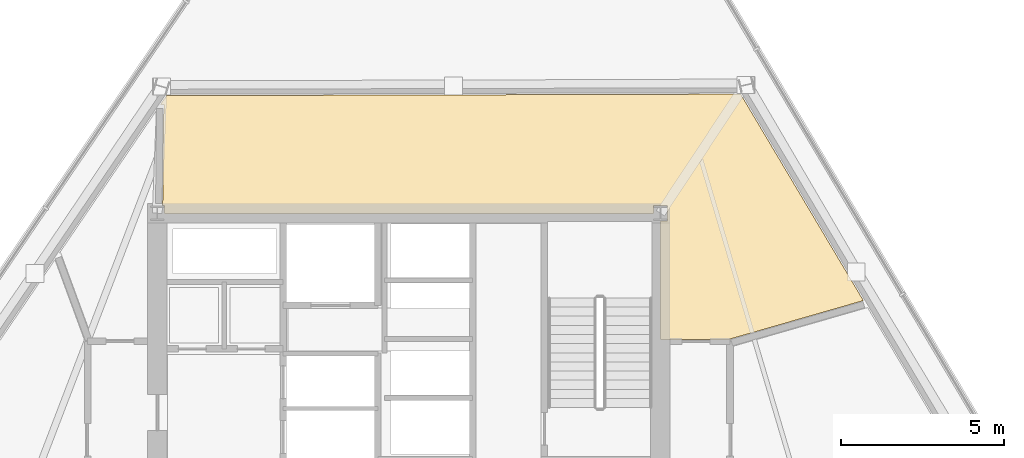
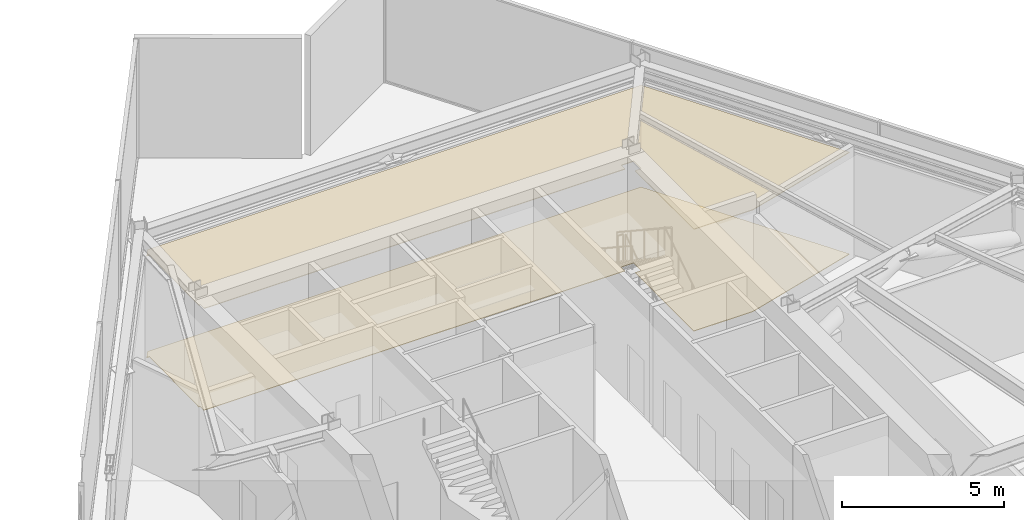
# One storey, part 15 of 16: 2 coverings.
"""IFC4 building model written with IfcOpenShell, lengths in metres."""

from ifc_helpers import new_model, si_unit, direction, frame, origin, place, context, subcontext, project, spatial, polyline, outline, extrude, material, layer, layer_set, type_object, element, save


model = new_model("IFC4")

# Units and contexts
model_context = context("Model", 3, precision=1e-05, world=origin(), true_north=direction((0.0, 1.0)))
body_context = subcontext(model_context, "Body", "Model", "MODEL_VIEW")
ifc_project = project(units=[si_unit("LENGTHUNIT", "METRE"), si_unit("AREAUNIT", "SQUARE_METRE"), si_unit("VOLUMEUNIT", "CUBIC_METRE"), si_unit("PLANEANGLEUNIT", "RADIAN"), si_unit("MASSUNIT", "GRAM", prefix="KILO")], contexts=[model_context])

# Site, building, storey
site_placement = place(None, origin())
site = spatial("IfcSite", under=ifc_project, at=site_placement, CompositionType="ELEMENT")
building_placement = place(site_placement, origin())
building = spatial("IfcBuilding", under=site, at=building_placement, Name="Savorim Split Tower", CompositionType="ELEMENT")
storey_placement = place(building_placement, frame((0.0, 0.0, 73.199951171875)))
storey = spatial("IfcBuildingStorey", under=building, at=storey_placement, Name="L19", CompositionType="ELEMENT", Elevation=73.199951171875)

# Coverings
ifc_material_1 = material(Name="Mineral Fibre Acoustic Ceiling")
ifc_layer_1 = layer(ifc_material_1, 0.02490234375)
ifc_layer_set_1 = layer_set([ifc_layer_1], Name="COV-CEIL-25")
covering_type_1 = type_object("IfcCoveringType", Name="COV-CEIL-25", PredefinedType="CEILING", material=ifc_layer_set_1)
covering_1_placement = place(storey_placement, frame((0.0, 0.0, 3.820068359375)))
element("IfcCovering", 1, at=covering_1_placement, inside=storey, type_object=covering_type_1, Name="L19 Booster Pump Plant Room 1 Acoustic Ceiling", PredefinedType="CEILING", context=body_context, shape_type="SweptSolid", body=[
    extrude(outline(polyline([(13.913818359375, 7.526611328125), (10.156005859375, 13.846435546875), (-7.416259765625, 13.79833984375), (-7.597900390625, 13.531494140625), (-7.497314453125, 13.5302734375), (-7.532958984375, 10.43310546875), (-7.48193359375, 10.43310546875), (-7.48193359375, 10.199951171875), (7.48193359375, 10.199951171875), (7.48193359375, 10.43310546875), (7.91796875, 10.43310546875), (7.91796875, 9.967041015625), (7.699951171875, 9.967041015625), (7.699951171875, 6.340087890625), (9.75, 6.340087890625), (9.763671875, 6.33935546875), (9.77734375, 6.33740234375), (9.781982421875, 6.336181640625), (13.894287109375, 7.52099609375), (13.913818359375, 7.526611328125)])), origin(), (0.0, 0.0, 1.0), 0.02490234375),
])
ifc_material_2 = material(Name="Porcelain Stoneware Flooring", Category="masonry")
ifc_layer_2 = layer(ifc_material_2, 0.02001953125)
ifc_layer_set_2 = layer_set([ifc_layer_2], Name="COV-FLOR-20")
covering_type_2 = type_object("IfcCoveringType", Name="COV-FLOR-20", PredefinedType="FLOORING", material=ifc_layer_set_2)
covering_2_placement = place(storey_placement, origin())
element("IfcCovering", 2, at=covering_2_placement, inside=storey, type_object=covering_type_2, Name="L19 Booster Pump Plant Room 1 Porcelain Flooring", PredefinedType="FLOORING", context=body_context, shape_type="SweptSolid", body=[
    extrude(outline(polyline([(13.913818359375, 7.526611328125), (10.156005859375, 13.846435546875), (-7.416259765625, 13.79833984375), (-7.597900390625, 13.531494140625), (-7.497314453125, 13.5302734375), (-7.532958984375, 10.43310546875), (-7.48193359375, 10.43310546875), (-7.48193359375, 10.199951171875), (7.48193359375, 10.199951171875), (7.48193359375, 10.43310546875), (7.91796875, 10.43310546875), (7.91796875, 9.967041015625), (7.699951171875, 9.967041015625), (7.699951171875, 6.340087890625), (9.75, 6.340087890625), (9.763671875, 6.33935546875), (9.77734375, 6.33740234375), (9.781982421875, 6.336181640625), (13.894287109375, 7.52099609375), (13.913818359375, 7.526611328125)])), origin(), (0.0, 0.0, 1.0), 0.02001953125),
])

save(model, "model.ifc")
